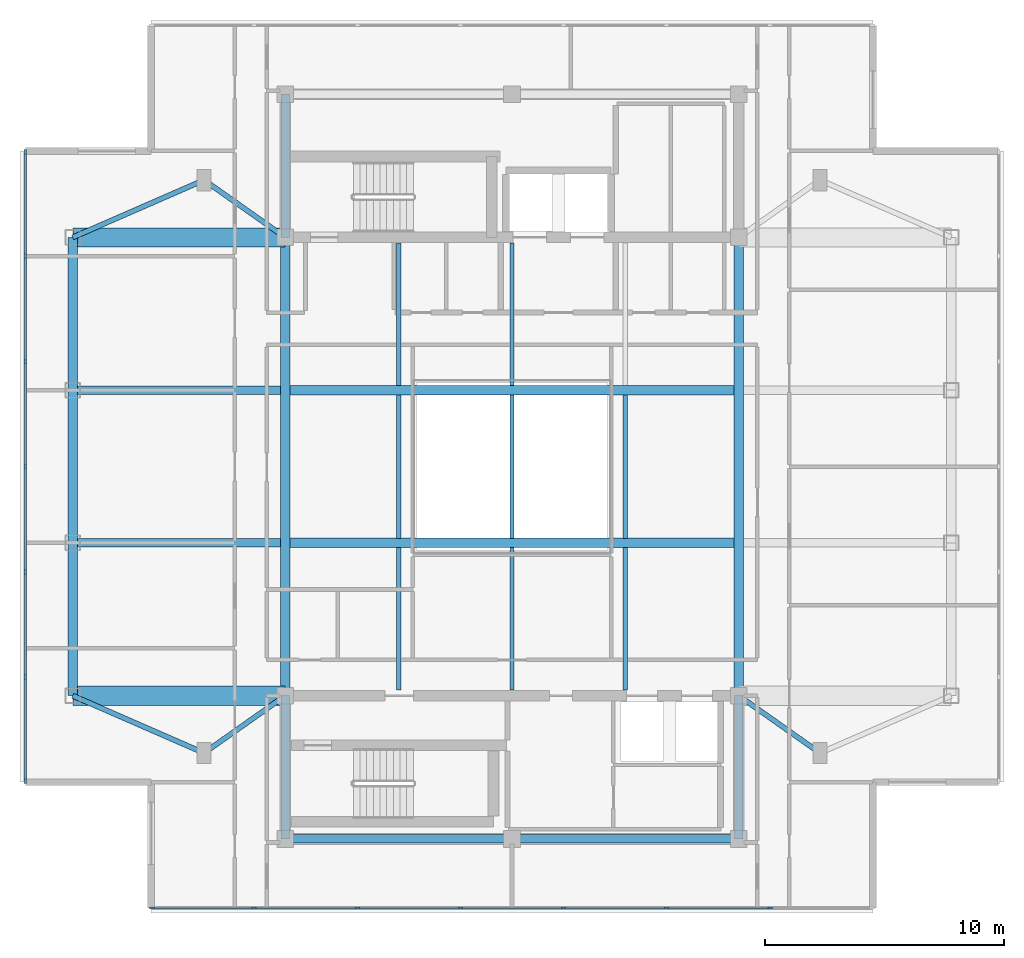
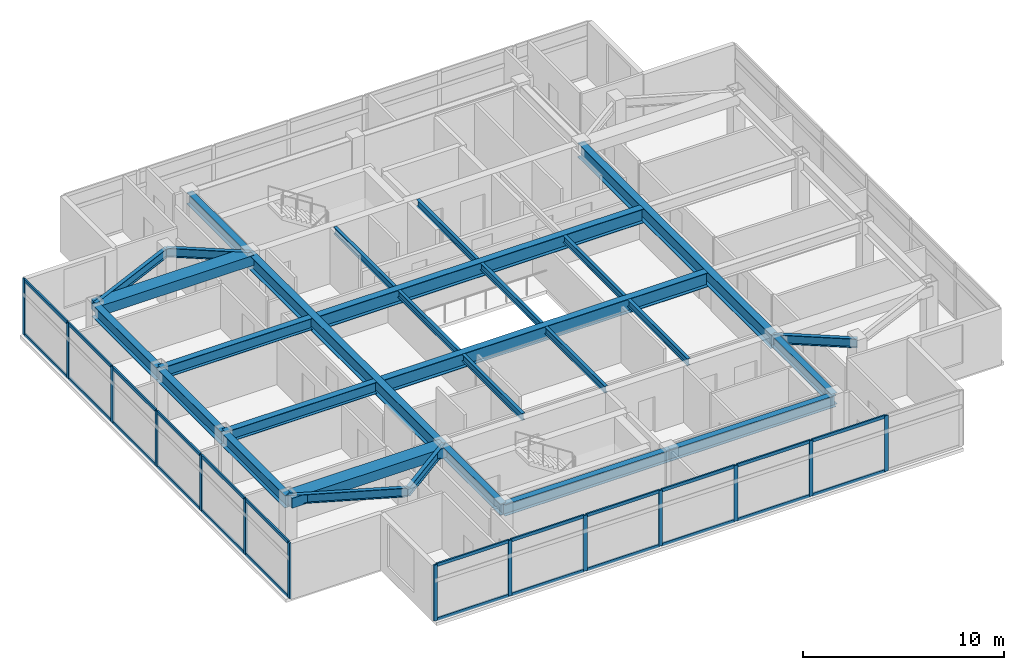
# One storey, part 2 of 12: 38 members, 29 beams, 2 elements without a shape of their own.
"""IFC4 building model written with IfcOpenShell, lengths in metres."""

import ifcopenshell
import ifcopenshell.guid

model = None  # the IFC model being written
_history = None  # IfcOwnerHistory: only IFC2X3 demands one
_inside = {}  # id of a spatial element -> (the spatial element, [elements in it])
_under = {}  # id of a project, library or spatial element -> (it, [spatial elements below it])
_declared = {}  # id of a project -> (the project, [libraries it declares])
_typed = {}  # id of a type object -> (the type object, [elements of that type])
_made_of = {}  # id of a material, layer set ... -> (it, [elements and type objects made of it])


def new_model(schema):
    """Start an empty IFC model of exactly this schema.

    Asked for "IFC4X3", IfcOpenShell would pick the latest addendum, in which some entities
    have other attributes; the version numbers below select the first issue.
    IFC2X3 requires an IfcOwnerHistory on every rooted entity: one is made here for all.
    """
    global model, _history
    if schema == "IFC4X3":
        model = ifcopenshell.file(schema_version=(4, 3, 0, 0))
    else:
        model = ifcopenshell.file(schema=schema)
    _inside.clear()
    _under.clear()
    _declared.clear()
    _typed.clear()
    _made_of.clear()
    _history = None
    if model.schema == "IFC2X3":
        org = make("IfcOrganization", Name="unknown")
        user = make(
            "IfcPersonAndOrganization",
            ThePerson=make("IfcPerson", FamilyName="unknown"),
            TheOrganization=org,
        )
        app = make(
            "IfcApplication",
            ApplicationDeveloper=org,
            Version="unknown",
            ApplicationFullName="unknown",
            ApplicationIdentifier="unknown",
        )
        _history = make(
            "IfcOwnerHistory",
            OwningUser=user,
            OwningApplication=app,
            ChangeAction="ADDED",
            CreationDate=0,
        )
    return model


def make(cls, **values):
    """One entity of the class cls with the attributes given. An attribute that is None is left unset."""
    return model.create_entity(
        cls, **{name: value for name, value in values.items() if value is not None}
    )


def rooted(cls, **values):
    """An entity with a GlobalId (a new one), such as an element, a storey or a relation."""
    return make(cls, GlobalId=ifcopenshell.guid.new(), OwnerHistory=_history, **values)


def si_unit(unit_type, name, prefix=None):
    """IfcSIUnit, for example si_unit("LENGTHUNIT", "METRE", prefix="MILLI")."""
    return make("IfcSIUnit", UnitType=unit_type, Prefix=prefix, Name=name)


def assignment(units):
    """IfcUnitAssignment: the units of a project."""
    return None if units is None else make("IfcUnitAssignment", Units=units)


def point(xyz):
    """IfcCartesianPoint."""
    return None if xyz is None else make("IfcCartesianPoint", Coordinates=xyz)


def direction(xyz):
    """IfcDirection."""
    return None if xyz is None else make("IfcDirection", DirectionRatios=xyz)


def frame(location, z_axis=None, x_axis=None):
    """IfcAxis2Placement3D, a coordinate frame: its origin and axes. An axis left out is left unset."""
    return make(
        "IfcAxis2Placement3D",
        Location=point(location),
        Axis=direction(z_axis),
        RefDirection=direction(x_axis),
    )


def frame_2d(location, x_axis=None):
    """IfcAxis2Placement2D, a coordinate frame in the plane: its origin and x axis."""
    return make(
        "IfcAxis2Placement2D", Location=point(location), RefDirection=direction(x_axis)
    )


def origin():
    """The frame at (0, 0, 0) with its axes left unset."""
    return frame((0.0, 0.0, 0.0))


def origin_2d():
    """The frame at (0, 0) in the plane with its x axis left unset."""
    return frame_2d((0.0, 0.0))


def place(relative_to, where):
    """IfcLocalPlacement: puts the frame where relative to a parent placement (None: the world)."""
    return make(
        "IfcLocalPlacement", PlacementRelTo=relative_to, RelativePlacement=where
    )


def context(
    kind, dimensions, precision=None, world=None, true_north=None, identifier=None
):
    """IfcGeometricRepresentationContext, for example the 3D "Model" context."""
    return make(
        "IfcGeometricRepresentationContext",
        ContextIdentifier=identifier,
        ContextType=kind,
        CoordinateSpaceDimension=dimensions,
        Precision=precision,
        WorldCoordinateSystem=world,
        TrueNorth=true_north,
    )


def subcontext(parent, identifier, kind, view, scale=None):
    """IfcGeometricRepresentationSubContext, for example "Body" below "Model"."""
    return make(
        "IfcGeometricRepresentationSubContext",
        ContextIdentifier=identifier,
        ContextType=kind,
        ParentContext=parent,
        TargetScale=scale,
        TargetView=view,
    )


def project(units=None, contexts=None):
    """IfcProject with its units and contexts."""
    return rooted(
        "IfcProject",
        Name="project",
        RepresentationContexts=contexts,
        UnitsInContext=assignment(units),
    )


def spatial(cls, under=None, at=None, **own):
    """A site, building, storey or space (cls), placed at a placement, below another one or the project."""
    s = rooted(cls, ObjectPlacement=at, **own)
    if under is not None:
        _under.setdefault(under.id(), (under, []))[1].append(s)
    return s


def profile(cls, at=None, kind="AREA", **sizes):
    """A parametric profile (cls). Its sizes go by their IFC names, for example OverallWidth=200.0."""
    return make(cls, ProfileType=kind, Position=at, **sizes)


def rectangle(**sizes):
    """IfcRectangleProfileDef."""
    return profile("IfcRectangleProfileDef", **sizes)


def i_section(**sizes):
    """IfcIShapeProfileDef."""
    return profile("IfcIShapeProfileDef", **sizes)


def extrude(swept, where, along, depth):
    """IfcExtrudedAreaSolid: the profile swept, set in the frame where, extruded along a direction by depth."""
    return make(
        "IfcExtrudedAreaSolid",
        SweptArea=swept,
        Position=where,
        ExtrudedDirection=direction(along),
        Depth=depth,
    )


def shape(context_of_items, identifier, shape_type, items):
    """IfcShapeRepresentation: the items that make up one representation, for example the "Body"."""
    return make(
        "IfcShapeRepresentation",
        ContextOfItems=context_of_items,
        RepresentationIdentifier=identifier,
        RepresentationType=shape_type,
        Items=items,
    )


def material(Name=None, Category=None):
    """IfcMaterial."""
    return make("IfcMaterial", Name=Name, Category=Category)


def material_profile(
    of_material, cross_section, Name=None, Category=None, Priority=None
):
    """IfcMaterialProfile: a cross section and its material."""
    return make(
        "IfcMaterialProfile",
        Name=Name,
        Material=of_material,
        Profile=cross_section,
        Priority=Priority,
        Category=Category,
    )


def profile_set(profiles, Name=None, composite=None):
    """IfcMaterialProfileSet."""
    return make(
        "IfcMaterialProfileSet",
        Name=Name,
        MaterialProfiles=profiles,
        CompositeProfile=composite,
    )


def made_of(thing, what):
    """Note that an element or type object is made of a material, layer set ...; save() writes the relation."""
    if what is not None:
        _made_of.setdefault(what.id(), (what, []))[1].append(thing)
    return thing


def type_object(cls, material=None, **own):
    """A type object (cls), such as IfcWallType, which elements share."""
    return made_of(rooted(cls, **own), material)


def element(
    cls,
    number,
    at=None,
    inside=None,
    cuts=None,
    type_object=None,
    material=None,
    context=None,
    identifier="Body",
    shape_type=None,
    held_by="IfcProductDefinitionShape",
    body=None,
    shapes=None,
    **own,
):
    """One element of the class cls, such as IfcWall. Its Tag is "e" and its number.

    at: its placement. inside: the storey or other place that contains it. cuts: it is an
    opening in that element (IfcRelVoidsElement). A single representation is given by context,
    identifier, shape_type and body (its items); several are given by shapes. held_by: the class
    of the entity that holds the representations. save() writes the other relations.
    """
    e = rooted(cls, Tag="e%d" % number, ObjectPlacement=at, **own)
    if body is not None:
        shapes = [shape(context, identifier, shape_type, body)]
    if shapes is not None:
        e.Representation = make(held_by, Representations=shapes)
    if inside is not None:
        _inside.setdefault(inside.id(), (inside, []))[1].append(e)
    if cuts is not None:
        rooted(
            "IfcRelVoidsElement", RelatingBuildingElement=cuts, RelatedOpeningElement=e
        )
    if type_object is not None:
        _typed.setdefault(type_object.id(), (type_object, []))[1].append(e)
    return made_of(e, material)


def aggregate(whole, parts):
    """IfcRelAggregates: a whole, such as a stair, and the parts it consists of."""
    return rooted("IfcRelAggregates", RelatingObject=whole, RelatedObjects=parts)


def save(model, path):
    """Write the relations noted so far, then the file.

    IfcRelAggregates (storeys below a building ...), IfcRelContainedInSpatialStructure (elements
    in a storey), IfcRelDefinesByType, IfcRelAssociatesMaterial and IfcRelDeclares: one each for
    every whole, place, type object, material and project.
    """
    for whole, parts in _under.values():
        aggregate(whole, parts)
    for where, things in _inside.values():
        rooted(
            "IfcRelContainedInSpatialStructure",
            RelatedElements=things,
            RelatingStructure=where,
        )
    for kind, things in _typed.values():
        rooted("IfcRelDefinesByType", RelatedObjects=things, RelatingType=kind)
    for what, things in _made_of.values():
        rooted("IfcRelAssociatesMaterial", RelatedObjects=things, RelatingMaterial=what)
    for by, libraries in _declared.values():
        rooted("IfcRelDeclares", RelatingContext=by, RelatedDefinitions=libraries)
    model.write(path)


model = new_model("IFC4")

# Units and contexts
model_context = context("Model", 3, precision=1e-05, world=origin(), true_north=direction((0.0, 1.0)))
body_context = subcontext(model_context, "Body", "Model", "MODEL_VIEW")
ifc_project = project(units=[si_unit("LENGTHUNIT", "METRE"), si_unit("AREAUNIT", "SQUARE_METRE"), si_unit("VOLUMEUNIT", "CUBIC_METRE"), si_unit("PLANEANGLEUNIT", "RADIAN"), si_unit("MASSUNIT", "GRAM", prefix="KILO")], contexts=[model_context])

# Site, building, storey
site_placement = place(None, origin())
site = spatial("IfcSite", under=ifc_project, at=site_placement, CompositionType="ELEMENT")
building_placement = place(site_placement, origin())
building = spatial("IfcBuilding", under=site, at=building_placement, Name="Mirazonda Arch Towers", CompositionType="ELEMENT")
storey_placement = place(building_placement, frame((0.0, 0.0, 256.300048828125)))
storey = spatial("IfcBuildingStorey", under=building, at=storey_placement, Name="L73", CompositionType="ELEMENT", Elevation=256.300048828125)

# Beams
ifc_material_1 = material(Name="Steel ASTM A992 Grade 50", Category="steel")
ifc_material_profile_1 = material_profile(ifc_material_1, i_section(OverallWidth=0.381103515625, OverallDepth=0.77294921875, WebThickness=0.0166015625, FlangeThickness=0.027099609375, at=origin_2d()), Name="W30X173")
ifc_profile_set_1 = profile_set([ifc_material_profile_1], Name="Steel ASTM A992 Grade 50")
beam_type_1 = type_object("IfcBeamType", Name="BM-EXT-W30X173", PredefinedType="USERDEFINED", material=ifc_profile_set_1)
beam_1_placement = place(storey_placement, frame((2.10009765625, 18.39990234375, 3.013427734375), z_axis=(0.0, 1.0, 0.0), x_axis=(-1.0, 0.0, 0.0)))
element("IfcBeam", 1, at=beam_1_placement, inside=storey, type_object=beam_type_1, Name="L73 Floor Beam BM-T1-L73-NS-W-18", ObjectType="GIRDER", PredefinedType="USERDEFINED", context=body_context, shape_type="SweptSolid", body=[
    extrude(i_section(OverallWidth=0.381103515625, OverallDepth=0.77294921875, WebThickness=0.0166015625, FlangeThickness=0.027099609375, at=origin_2d()), origin(), (0.0, 0.0, 1.0), 6.400146484375),
])
beam_2_placement = place(storey_placement, frame((2.10009765625, 24.800048828125, 3.013427734375), z_axis=(0.0, 1.0, 0.0), x_axis=(-1.0, 0.0, 0.0)))
element("IfcBeam", 2, at=beam_2_placement, inside=storey, type_object=beam_type_1, Name="L73 Floor Beam BM-T1-L73-NS-W-24", ObjectType="GIRDER", PredefinedType="USERDEFINED", context=body_context, shape_type="SweptSolid", body=[
    extrude(i_section(OverallWidth=0.381103515625, OverallDepth=0.77294921875, WebThickness=0.0166015625, FlangeThickness=0.027099609375, at=origin_2d()), origin(), (0.0, 0.0, 1.0), 6.39990234375),
])
beam_3_placement = place(storey_placement, frame((2.10009765625, 31.199951171875, 3.013427734375), z_axis=(0.0, 1.0, 0.0), x_axis=(-1.0, 0.0, 0.0)))
element("IfcBeam", 3, at=beam_3_placement, inside=storey, type_object=beam_type_1, Name="L73 Floor Beam BM-T1-L73-NS-W-31", ObjectType="GIRDER", PredefinedType="USERDEFINED", context=body_context, shape_type="SweptSolid", body=[
    extrude(i_section(OverallWidth=0.381103515625, OverallDepth=0.77294921875, WebThickness=0.0166015625, FlangeThickness=0.027099609375, at=origin_2d()), origin(), (0.0, 0.0, 1.0), 6.400146484375),
])
ifc_material_profile_2 = material_profile(ifc_material_1, i_section(OverallWidth=0.180908203125, OverallDepth=0.4169921875, WebThickness=0.010986328125, FlangeThickness=0.018310546875, at=origin_2d()), Name="W16X57")
ifc_profile_set_2 = profile_set([ifc_material_profile_2], Name="Steel ASTM A992 Grade 50")
beam_type_2 = type_object("IfcBeamType", Name="BM-INT-W16X57", PredefinedType="JOIST", material=ifc_profile_set_2)
for number, where, z_axis, x_axis, name in (
    (4, (15.75, 18.639892578125, 3.19140625), (0.0, 1.0, 0.0), (-1.0, 0.0, 0.0), "L73 Floor Beam BM-T1-L73-J-157-18"),
    (5, (15.75, 31.39599609375, 3.19140625), (0.0, 1.0, 0.0), (-1.0, 0.0, 0.0), "L73 Floor Beam BM-T1-L73-J-157-31"),
):
    element("IfcBeam", number, at=place(storey_placement, frame(where, z_axis=z_axis, x_axis=x_axis)), inside=storey, type_object=beam_type_2, Name=name, PredefinedType="JOIST", context=body_context, shape_type="SweptSolid", body=[
        extrude(i_section(OverallWidth=0.180908203125, OverallDepth=0.4169921875, WebThickness=0.010986328125, FlangeThickness=0.018310546875, at=origin_2d()), origin(), (0.0, 0.0, 1.0), 5.964111328125),
    ])
beam_4_placement = place(storey_placement, frame((15.75, 24.99609375, 3.19140625), z_axis=(0.0, 1.0, 0.0), x_axis=(-1.0, 0.0, 0.0)))
element("IfcBeam", 6, at=beam_4_placement, inside=storey, type_object=beam_type_2, Name="L73 Floor Beam BM-T1-L73-J-157-24", PredefinedType="JOIST", context=body_context, shape_type="SweptSolid", body=[
    extrude(i_section(OverallWidth=0.180908203125, OverallDepth=0.4169921875, WebThickness=0.010986328125, FlangeThickness=0.018310546875, at=origin_2d()), origin(), (0.0, 0.0, 1.0), 6.0078125),
])
for number, where, z_axis, x_axis, name in (
    (7, (20.5, 18.639892578125, 3.19140625), (0.0, 1.0, 0.0), (-1.0, 0.0, 0.0), "L73 Floor Beam BM-T1-L73-J-205-18"),
    (8, (20.5, 31.39599609375, 3.19140625), (0.0, 1.0, 0.0), (-1.0, 0.0, 0.0), "L73 Floor Beam BM-T1-L73-J-205-31"),
):
    element("IfcBeam", number, at=place(storey_placement, frame(where, z_axis=z_axis, x_axis=x_axis)), inside=storey, type_object=beam_type_2, Name=name, PredefinedType="JOIST", context=body_context, shape_type="SweptSolid", body=[
        extrude(i_section(OverallWidth=0.180908203125, OverallDepth=0.4169921875, WebThickness=0.010986328125, FlangeThickness=0.018310546875, at=origin_2d()), origin(), (0.0, 0.0, 1.0), 5.964111328125),
    ])
beam_5_placement = place(storey_placement, frame((20.5, 24.99609375, 3.19140625), z_axis=(0.0, 1.0, 0.0), x_axis=(-1.0, 0.0, 0.0)))
element("IfcBeam", 9, at=beam_5_placement, inside=storey, type_object=beam_type_2, Name="L73 Floor Beam BM-T1-L73-J-205-24", PredefinedType="JOIST", context=body_context, shape_type="SweptSolid", body=[
    extrude(i_section(OverallWidth=0.180908203125, OverallDepth=0.4169921875, WebThickness=0.010986328125, FlangeThickness=0.018310546875, at=origin_2d()), origin(), (0.0, 0.0, 1.0), 6.0078125),
])
beam_6_placement = place(storey_placement, frame((25.25, 18.639892578125, 3.19140625), z_axis=(0.0, 1.0, 0.0), x_axis=(-1.0, 0.0, 0.0)))
element("IfcBeam", 10, at=beam_6_placement, inside=storey, type_object=beam_type_2, Name="L73 Floor Beam BM-T1-L73-J-252-18", PredefinedType="JOIST", context=body_context, shape_type="SweptSolid", body=[
    extrude(i_section(OverallWidth=0.180908203125, OverallDepth=0.4169921875, WebThickness=0.010986328125, FlangeThickness=0.018310546875, at=origin_2d()), origin(), (0.0, 0.0, 1.0), 5.964111328125),
])
beam_7_placement = place(storey_placement, frame((25.25, 24.99609375, 3.19140625), z_axis=(0.0, 1.0, 0.0), x_axis=(-1.0, 0.0, 0.0)))
element("IfcBeam", 11, at=beam_7_placement, inside=storey, type_object=beam_type_2, Name="L73 Floor Beam BM-T1-L73-J-252-24", PredefinedType="JOIST", context=body_context, shape_type="SweptSolid", body=[
    extrude(i_section(OverallWidth=0.180908203125, OverallDepth=0.4169921875, WebThickness=0.010986328125, FlangeThickness=0.018310546875, at=origin_2d()), origin(), (0.0, 0.0, 1.0), 6.0078125),
])
ifc_material_profile_3 = material_profile(ifc_material_1, i_section(OverallWidth=0.214111328125, OverallDepth=0.549072265625, WebThickness=0.0146484375, FlangeThickness=0.023681640625, at=origin_2d()), Name="W21X93")
ifc_profile_set_3 = profile_set([ifc_material_profile_3], Name="Steel ASTM A992 Grade 50")
beam_type_3 = type_object("IfcBeamType", Name="BM-INT-W21X93", PredefinedType="BEAM", material=ifc_profile_set_3)
beam_8_placement = place(storey_placement, frame((7.60009765625, 16.0, 3.12548828125), z_axis=(0.816971114901, 0.576678591087, 0.0), x_axis=(-0.576678591087, 0.816971114901, 0.0)))
element("IfcBeam", 12, at=beam_8_placement, inside=storey, type_object=beam_type_3, Name="L73 Floor Beam BM-T1-L73-PL-SW1", PredefinedType="BEAM", context=body_context, shape_type="SweptSolid", body=[
    extrude(i_section(OverallWidth=0.214111328125, OverallDepth=0.549072265625, WebThickness=0.0146484375, FlangeThickness=0.023681640625, at=origin_2d()), origin(), (0.0, 0.0, 1.0), 4.16162109375),
])
beam_9_placement = place(storey_placement, frame((7.60009765625, 16.0, 3.12548828125), z_axis=(-0.916545343703, 0.399930785183, 0.0), x_axis=(-0.399930785183, -0.916545343703, 0.0)))
element("IfcBeam", 13, at=beam_9_placement, inside=storey, type_object=beam_type_3, Name="L73 Floor Beam BM-T1-L73-PL-SW2", PredefinedType="BEAM", context=body_context, shape_type="SweptSolid", body=[
    extrude(i_section(OverallWidth=0.214111328125, OverallDepth=0.549072265625, WebThickness=0.0146484375, FlangeThickness=0.023681640625, at=origin_2d()), origin(), (0.0, 0.0, 1.0), 6.000732421875),
])
for number, where, z_axis, x_axis, name in (
    (14, (33.39990234375, 16.0, 3.12548828125), (-0.816971114901, 0.576678591087, 0.0), (-0.576678591087, -0.816971114901, 0.0), "L73 Floor Beam BM-T1-L73-PL-SE1"),
    (15, (7.60009765625, 40.0, 3.12548828125), (0.816971114901, -0.576678591087, 0.0), (0.576678591087, 0.816971114901, 0.0), "L73 Floor Beam BM-T1-L73-PL-NW1"),
):
    element("IfcBeam", number, at=place(storey_placement, frame(where, z_axis=z_axis, x_axis=x_axis)), inside=storey, type_object=beam_type_3, Name=name, PredefinedType="BEAM", context=body_context, shape_type="SweptSolid", body=[
        extrude(i_section(OverallWidth=0.214111328125, OverallDepth=0.549072265625, WebThickness=0.0146484375, FlangeThickness=0.023681640625, at=origin_2d()), origin(), (0.0, 0.0, 1.0), 4.16162109375),
    ])
beam_10_placement = place(storey_placement, frame((7.60009765625, 40.0, 3.12548828125), z_axis=(-0.916545343703, -0.399930785183, 0.0), x_axis=(0.399930785183, -0.916545343703, 0.0)))
element("IfcBeam", 16, at=beam_10_placement, inside=storey, type_object=beam_type_3, Name="L73 Floor Beam BM-T1-L73-PL-NW2", PredefinedType="BEAM", context=body_context, shape_type="SweptSolid", body=[
    extrude(i_section(OverallWidth=0.214111328125, OverallDepth=0.549072265625, WebThickness=0.0146484375, FlangeThickness=0.023681640625, at=origin_2d()), origin(), (0.0, 0.0, 1.0), 6.000732421875),
])
ifc_material_profile_4 = material_profile(ifc_material_1, i_section(OverallWidth=0.35498046875, OverallDepth=0.696044921875, WebThickness=0.015380859375, FlangeThickness=0.02490234375, at=origin_2d()), Name="W27X146")
ifc_profile_set_4 = profile_set([ifc_material_profile_4], Name="Steel ASTM A992 Grade 50")
beam_type_4 = type_object("IfcBeamType", Name="BM-INT-W27X146", PredefinedType="BEAM", material=ifc_profile_set_4)
for number, where, z_axis, x_axis, name in (
    (17, (2.10009765625, 24.800048828125, 3.052001953125), (1.0, 0.0, 0.0), (0.0, 1.0, 0.0), "L73 Floor Beam BM-T1-L73-GW2"),
    (18, (2.10009765625, 31.199951171875, 3.052001953125), (1.0, 0.0, 0.0), (0.0, 1.0, 0.0), "L73 Floor Beam BM-T1-L73-GW3"),
):
    element("IfcBeam", number, at=place(storey_placement, frame(where, z_axis=z_axis, x_axis=x_axis)), inside=storey, type_object=beam_type_4, Name=name, PredefinedType="BEAM", context=body_context, shape_type="SweptSolid", body=[
        extrude(i_section(OverallWidth=0.35498046875, OverallDepth=0.696044921875, WebThickness=0.015380859375, FlangeThickness=0.02490234375, at=origin_2d()), origin(), (0.0, 0.0, 1.0), 8.699951171875),
    ])
for number, where, z_axis, x_axis, name in (
    (19, (11.0, 12.39990234375, 3.052001953125), (1.0, 0.0, 0.0), (0.0, 1.0, 0.0), "L73 Floor Beam BM-T1-L73-CS1"),
    (20, (20.5, 12.39990234375, 3.052001953125), (1.0, 0.0, 0.0), (0.0, 1.0, 0.0), "L73 Floor Beam BM-T1-L73-CS2"),
):
    element("IfcBeam", number, at=place(storey_placement, frame(where, z_axis=z_axis, x_axis=x_axis)), inside=storey, type_object=beam_type_4, Name=name, PredefinedType="BEAM", context=body_context, shape_type="SweptSolid", body=[
        extrude(i_section(OverallWidth=0.35498046875, OverallDepth=0.696044921875, WebThickness=0.015380859375, FlangeThickness=0.02490234375, at=origin_2d()), origin(), (0.0, 0.0, 1.0), 9.5),
    ])
for number, where, z_axis, x_axis, name in (
    (21, (11.0, 12.39990234375, 3.052001953125), (0.0, 1.0, 0.0), (-1.0, 0.0, 0.0), "L73 Floor Beam BM-T1-L73-CSW"),
    (22, (30.0, 12.39990234375, 3.052001953125), (0.0, 1.0, 0.0), (-1.0, 0.0, 0.0), "L73 Floor Beam BM-T1-L73-CSE"),
    (23, (11.0, 37.60009765625, 3.052001953125), (0.0, 1.0, 0.0), (-1.0, 0.0, 0.0), "L73 Floor Beam BM-T1-L73-CNW"),
):
    element("IfcBeam", number, at=place(storey_placement, frame(where, z_axis=z_axis, x_axis=x_axis)), inside=storey, type_object=beam_type_4, Name=name, PredefinedType="BEAM", context=body_context, shape_type="SweptSolid", body=[
        extrude(i_section(OverallWidth=0.35498046875, OverallDepth=0.696044921875, WebThickness=0.015380859375, FlangeThickness=0.02490234375, at=origin_2d()), origin(), (0.0, 0.0, 1.0), 6.0),
    ])
ifc_material_profile_5 = material_profile(ifc_material_1, i_section(OverallWidth=0.39990234375, OverallDepth=0.85595703125, WebThickness=0.018310546875, FlangeThickness=0.029296875, at=origin_2d()), Name="W33X201")
ifc_profile_set_5 = profile_set([ifc_material_profile_5], Name="Steel ASTM A992 Grade 50")
beam_type_5 = type_object("IfcBeamType", Name="BM-INT-W33X201", PredefinedType="USERDEFINED", material=ifc_profile_set_5)
for number, where, z_axis, x_axis, name in (
    (24, (11.199951171875, 24.800048828125, 2.971923828125), (1.0, 0.0, 0.0), (0.0, 1.0, 0.0), "L73 Floor Beam BM-T1-L73-GC2"),
    (25, (11.199951171875, 31.199951171875, 2.971923828125), (1.0, 0.0, 0.0), (0.0, 1.0, 0.0), "L73 Floor Beam BM-T1-L73-GC3"),
):
    element("IfcBeam", number, at=place(storey_placement, frame(where, z_axis=z_axis, x_axis=x_axis)), inside=storey, type_object=beam_type_5, Name=name, ObjectType="GIRDER", PredefinedType="USERDEFINED", context=body_context, shape_type="SweptSolid", body=[
        extrude(i_section(OverallWidth=0.39990234375, OverallDepth=0.85595703125, WebThickness=0.018310546875, FlangeThickness=0.029296875, at=origin_2d()), origin(), (0.0, 0.0, 1.0), 18.60009765625),
    ])
for number, where, z_axis, x_axis, name in (
    (26, (11.0, 18.39990234375, 2.971923828125), (0.0, 1.0, 0.0), (-1.0, 0.0, 0.0), "L73 Floor Beam BM-T1-L73-NS-CW-FULL"),
    (27, (30.0, 18.39990234375, 2.971923828125), (0.0, 1.0, 0.0), (-1.0, 0.0, 0.0), "L73 Floor Beam BM-T1-L73-NS-CE-FULL"),
):
    element("IfcBeam", number, at=place(storey_placement, frame(where, z_axis=z_axis, x_axis=x_axis)), inside=storey, type_object=beam_type_5, Name=name, ObjectType="GIRDER", PredefinedType="USERDEFINED", context=body_context, shape_type="SweptSolid", body=[
        extrude(i_section(OverallWidth=0.39990234375, OverallDepth=0.85595703125, WebThickness=0.018310546875, FlangeThickness=0.029296875, at=origin_2d()), origin(), (0.0, 0.0, 1.0), 19.2001953125),
    ])
ifc_material_2 = material(Name="Concrete C60/75", Category="concrete")
ifc_material_profile_6 = material_profile(ifc_material_2, rectangle(XDim=0.800048828125, YDim=0.60009765625, at=origin_2d()), Name="RCCB800x600")
ifc_profile_set_6 = profile_set([ifc_material_profile_6], Name="Concrete C60/75")
beam_type_6 = type_object("IfcBeamType", Name="CB-INT-RCCB800x600", PredefinedType="SPANDREL", material=ifc_profile_set_6)
for number, where, z_axis, x_axis, name in (
    (28, (2.10009765625, 37.60009765625, 3.099853515625), (1.0, 0.0, 0.0), (0.0, 1.0, 0.0), "L73 Floor Beam CBC-T1-L73-NW"),
    (29, (2.10009765625, 18.39990234375, 3.099853515625), (1.0, 0.0, 0.0), (0.0, 1.0, 0.0), "L73 Floor Beam CBC-T1-L73-SW"),
):
    element("IfcBeam", number, at=place(storey_placement, frame(where, z_axis=z_axis, x_axis=x_axis)), inside=storey, type_object=beam_type_6, Name=name, PredefinedType="SPANDREL", context=body_context, shape_type="SweptSolid", body=[
        extrude(rectangle(XDim=0.800048828125, YDim=0.60009765625, at=origin_2d()), origin(), (0.0, 0.0, 1.0), 8.89990234375),
    ])

# Curtain wall, members
ifc_material_3 = material(Name="Anodised Aluminium and Low-E Glass", Category="aluminium")
curtain_wall_type = type_object("IfcCurtainWallType", Name="CW-OBS-LANTERN", PredefinedType="NOTDEFINED", material=ifc_material_3)
curtain_wall_1_placement = place(storey_placement, origin())
curtain_wall_1 = element("IfcCurtainWall", 30, at=curtain_wall_1_placement, inside=storey, type_object=curtain_wall_type, Name="L73 T1 S Facade CW-L73-T1-S", PredefinedType="NOTDEFINED")
ifc_material_4 = material(Name="Anodised Aluminium Alloy", Category="aluminium")
ifc_material_profile_7 = material_profile(ifc_material_4, rectangle(XDim=0.090087890625, YDim=0.2099609375, at=origin_2d()), Name="ALU-MULL-90x210")
ifc_profile_set_7 = profile_set([ifc_material_profile_7], Name="Anodised Aluminium Alloy")
member_type_1 = type_object("IfcMemberType", Name="MULL-CW-OBS-LANTERN", PredefinedType="MULLION", material=ifc_profile_set_7)
member_1_placement = place(storey_placement, frame((31.303466796875, 9.513916015625, 0.0), z_axis=(0.0, 0.0, 1.0), x_axis=(0.0, -1.0, 0.0)))
member_1 = element("IfcMember", 31, at=member_1_placement, type_object=member_type_1, Name="CW-110 mullion 2", PredefinedType="MULLION", context=body_context, shape_type="SweptSolid", body=[
    extrude(rectangle(XDim=0.090087890625, YDim=0.2099609375, at=origin_2d()), origin(), (0.0, 0.0, 1.0), 3.3798828125),
])
member_2_placement = place(storey_placement, frame((26.982177734375, 9.513916015625, 0.0), z_axis=(0.0, 0.0, 1.0), x_axis=(0.0, -1.0, 0.0)))
member_2 = element("IfcMember", 32, at=member_2_placement, type_object=member_type_1, Name="CW-110 mullion 3", PredefinedType="MULLION", context=body_context, shape_type="SweptSolid", body=[
    extrude(rectangle(XDim=0.090087890625, YDim=0.2099609375, at=origin_2d()), origin(), (0.0, 0.0, 1.0), 3.3798828125),
])
member_3_placement = place(storey_placement, frame((22.66064453125, 9.513916015625, 0.0), z_axis=(0.0, 0.0, 1.0), x_axis=(0.0, -1.0, 0.0)))
member_3 = element("IfcMember", 33, at=member_3_placement, type_object=member_type_1, Name="CW-110 mullion 4", PredefinedType="MULLION", context=body_context, shape_type="SweptSolid", body=[
    extrude(rectangle(XDim=0.090087890625, YDim=0.2099609375, at=origin_2d()), origin(), (0.0, 0.0, 1.0), 3.3798828125),
])
member_4_placement = place(storey_placement, frame((18.33935546875, 9.513916015625, 0.0), z_axis=(0.0, 0.0, 1.0), x_axis=(0.0, -1.0, 0.0)))
member_4 = element("IfcMember", 34, at=member_4_placement, type_object=member_type_1, Name="CW-110 mullion 5", PredefinedType="MULLION", context=body_context, shape_type="SweptSolid", body=[
    extrude(rectangle(XDim=0.090087890625, YDim=0.2099609375, at=origin_2d()), origin(), (0.0, 0.0, 1.0), 3.3798828125),
])
member_5_placement = place(storey_placement, frame((14.017822265625, 9.513916015625, 0.0), z_axis=(0.0, 0.0, 1.0), x_axis=(0.0, -1.0, 0.0)))
member_5 = element("IfcMember", 35, at=member_5_placement, type_object=member_type_1, Name="CW-110 mullion 6", PredefinedType="MULLION", context=body_context, shape_type="SweptSolid", body=[
    extrude(rectangle(XDim=0.090087890625, YDim=0.2099609375, at=origin_2d()), origin(), (0.0, 0.0, 1.0), 3.3798828125),
])
member_6_placement = place(storey_placement, frame((9.696533203125, 9.513916015625, 0.0), z_axis=(0.0, 0.0, 1.0), x_axis=(0.0, -1.0, 0.0)))
member_6 = element("IfcMember", 36, at=member_6_placement, type_object=member_type_1, Name="CW-110 mullion 7", PredefinedType="MULLION", context=body_context, shape_type="SweptSolid", body=[
    extrude(rectangle(XDim=0.090087890625, YDim=0.2099609375, at=origin_2d()), origin(), (0.0, 0.0, 1.0), 3.3798828125),
])
member_7_placement = place(storey_placement, frame((5.419921875, 9.513916015625, 0.0), z_axis=(0.0, 0.0, 1.0), x_axis=(0.0, -1.0, 0.0)))
member_7 = element("IfcMember", 37, at=member_7_placement, type_object=member_type_1, Name="CW-110 mullion 8", PredefinedType="MULLION", context=body_context, shape_type="SweptSolid", body=[
    extrude(rectangle(XDim=0.090087890625, YDim=0.2099609375, at=origin_2d()), origin(), (0.0, 0.0, 1.0), 3.3798828125),
])

curtain_wall_2_placement = place(storey_placement, origin())
curtain_wall_2 = element("IfcCurtainWall", 38, at=curtain_wall_2_placement, inside=storey, type_object=curtain_wall_type, Name="L73 T1 W Facade CW-L73-T1-W", PredefinedType="NOTDEFINED")
member_8_placement = place(storey_placement, frame((0.110107421875, 41.176025390625, 0.0), z_axis=(0.0, 0.0, 1.0), x_axis=(1.0, 0.0, 0.0)))
member_8 = element("IfcMember", 39, at=member_8_placement, type_object=member_type_1, Name="CW-110 mullion 1", PredefinedType="MULLION", context=body_context, shape_type="SweptSolid", body=[
    extrude(rectangle(XDim=0.090087890625, YDim=0.2099609375, at=origin_2d()), origin(), (0.0, 0.0, 1.0), 3.3798828125),
])
member_9_placement = place(storey_placement, frame((0.110107421875, 36.81396484375, 0.0), z_axis=(0.0, 0.0, 1.0), x_axis=(1.0, 0.0, 0.0)))
member_9 = element("IfcMember", 40, at=member_9_placement, type_object=member_type_1, Name="CW-110 mullion 2", PredefinedType="MULLION", context=body_context, shape_type="SweptSolid", body=[
    extrude(rectangle(XDim=0.090087890625, YDim=0.2099609375, at=origin_2d()), origin(), (0.0, 0.0, 1.0), 3.3798828125),
])
member_10_placement = place(storey_placement, frame((0.110107421875, 32.406982421875, 0.0), z_axis=(0.0, 0.0, 1.0), x_axis=(1.0, 0.0, 0.0)))
member_10 = element("IfcMember", 41, at=member_10_placement, type_object=member_type_1, Name="CW-110 mullion 3", PredefinedType="MULLION", context=body_context, shape_type="SweptSolid", body=[
    extrude(rectangle(XDim=0.090087890625, YDim=0.2099609375, at=origin_2d()), origin(), (0.0, 0.0, 1.0), 3.3798828125),
])
member_11_placement = place(storey_placement, frame((0.110107421875, 28.0, 0.0), z_axis=(0.0, 0.0, 1.0), x_axis=(1.0, 0.0, 0.0)))
member_11 = element("IfcMember", 42, at=member_11_placement, type_object=member_type_1, Name="CW-110 mullion 4", PredefinedType="MULLION", context=body_context, shape_type="SweptSolid", body=[
    extrude(rectangle(XDim=0.090087890625, YDim=0.2099609375, at=origin_2d()), origin(), (0.0, 0.0, 1.0), 3.3798828125),
])
member_12_placement = place(storey_placement, frame((0.110107421875, 23.593017578125, 0.0), z_axis=(0.0, 0.0, 1.0), x_axis=(1.0, 0.0, 0.0)))
member_12 = element("IfcMember", 43, at=member_12_placement, type_object=member_type_1, Name="CW-110 mullion 5", PredefinedType="MULLION", context=body_context, shape_type="SweptSolid", body=[
    extrude(rectangle(XDim=0.090087890625, YDim=0.2099609375, at=origin_2d()), origin(), (0.0, 0.0, 1.0), 3.3798828125),
])
member_13_placement = place(storey_placement, frame((0.110107421875, 19.18603515625, 0.0), z_axis=(0.0, 0.0, 1.0), x_axis=(1.0, 0.0, 0.0)))
member_13 = element("IfcMember", 44, at=member_13_placement, type_object=member_type_1, Name="CW-110 mullion 6", PredefinedType="MULLION", context=body_context, shape_type="SweptSolid", body=[
    extrude(rectangle(XDim=0.090087890625, YDim=0.2099609375, at=origin_2d()), origin(), (0.0, 0.0, 1.0), 3.3798828125),
])
member_14_placement = place(storey_placement, frame((0.110107421875, 14.823974609375, 0.0), z_axis=(0.0, 0.0, 1.0), x_axis=(1.0, 0.0, 0.0)))
member_14 = element("IfcMember", 45, at=member_14_placement, type_object=member_type_1, Name="CW-110 mullion 7", PredefinedType="MULLION", context=body_context, shape_type="SweptSolid", body=[
    extrude(rectangle(XDim=0.090087890625, YDim=0.2099609375, at=origin_2d()), origin(), (0.0, 0.0, 1.0), 3.3798828125),
])

# Member
ifc_material_profile_8 = material_profile(ifc_material_4, rectangle(XDim=0.090087890625, YDim=0.18994140625, at=origin_2d()), Name="ALU-TRAN-90x190")
ifc_profile_set_8 = profile_set([ifc_material_profile_8], Name="Anodised Aluminium Alloy")
member_type_2 = type_object("IfcMemberType", Name="TRAN-CW-OBS-LANTERN", PredefinedType="USERDEFINED", material=ifc_profile_set_8)
member_15_placement = place(storey_placement, frame((31.258544921875, 9.513916015625, 0.044921875), z_axis=(-1.0, 0.0, 0.0), x_axis=(0.0, -1.0, 0.0)))
member_15 = element("IfcMember", 46, at=member_15_placement, type_object=member_type_2, Name="CW-110 transom 2.1", ObjectType="TRANSOM", PredefinedType="USERDEFINED", context=body_context, shape_type="SweptSolid", body=[
    extrude(rectangle(XDim=0.090087890625, YDim=0.18994140625, at=origin_2d()), origin(), (0.0, 0.0, 1.0), 4.2314453125),
])

member_16_placement = place(storey_placement, frame((31.258544921875, 9.513916015625, 3.3349609375), z_axis=(-1.0, 0.0, 0.0), x_axis=(0.0, -1.0, 0.0)))
member_16 = element("IfcMember", 47, at=member_16_placement, type_object=member_type_2, Name="CW-110 transom 2.2", ObjectType="TRANSOM", PredefinedType="USERDEFINED", context=body_context, shape_type="SweptSolid", body=[
    extrude(rectangle(XDim=0.090087890625, YDim=0.18994140625, at=origin_2d()), origin(), (0.0, 0.0, 1.0), 4.2314453125),
])

member_17_placement = place(storey_placement, frame((26.937255859375, 9.513916015625, 0.044921875), z_axis=(-1.0, 0.0, 0.0), x_axis=(0.0, -1.0, 0.0)))
member_17 = element("IfcMember", 48, at=member_17_placement, type_object=member_type_2, Name="CW-110 transom 3.1", ObjectType="TRANSOM", PredefinedType="USERDEFINED", context=body_context, shape_type="SweptSolid", body=[
    extrude(rectangle(XDim=0.090087890625, YDim=0.18994140625, at=origin_2d()), origin(), (0.0, 0.0, 1.0), 4.2314453125),
])

member_18_placement = place(storey_placement, frame((26.937255859375, 9.513916015625, 3.3349609375), z_axis=(-1.0, 0.0, 0.0), x_axis=(0.0, -1.0, 0.0)))
member_18 = element("IfcMember", 49, at=member_18_placement, type_object=member_type_2, Name="CW-110 transom 3.2", ObjectType="TRANSOM", PredefinedType="USERDEFINED", context=body_context, shape_type="SweptSolid", body=[
    extrude(rectangle(XDim=0.090087890625, YDim=0.18994140625, at=origin_2d()), origin(), (0.0, 0.0, 1.0), 4.2314453125),
])

member_19_placement = place(storey_placement, frame((22.61572265625, 9.513916015625, 0.044921875), z_axis=(-1.0, 0.0, 0.0), x_axis=(0.0, -1.0, 0.0)))
member_19 = element("IfcMember", 50, at=member_19_placement, type_object=member_type_2, Name="CW-110 transom 4.1", ObjectType="TRANSOM", PredefinedType="USERDEFINED", context=body_context, shape_type="SweptSolid", body=[
    extrude(rectangle(XDim=0.090087890625, YDim=0.18994140625, at=origin_2d()), origin(), (0.0, 0.0, 1.0), 4.2314453125),
])

member_20_placement = place(storey_placement, frame((22.61572265625, 9.513916015625, 3.3349609375), z_axis=(-1.0, 0.0, 0.0), x_axis=(0.0, -1.0, 0.0)))
member_20 = element("IfcMember", 51, at=member_20_placement, type_object=member_type_2, Name="CW-110 transom 4.2", ObjectType="TRANSOM", PredefinedType="USERDEFINED", context=body_context, shape_type="SweptSolid", body=[
    extrude(rectangle(XDim=0.090087890625, YDim=0.18994140625, at=origin_2d()), origin(), (0.0, 0.0, 1.0), 4.2314453125),
])

member_21_placement = place(storey_placement, frame((18.294189453125, 9.513916015625, 0.044921875), z_axis=(-1.0, 0.0, 0.0), x_axis=(0.0, -1.0, 0.0)))
member_21 = element("IfcMember", 52, at=member_21_placement, type_object=member_type_2, Name="CW-110 transom 5.1", ObjectType="TRANSOM", PredefinedType="USERDEFINED", context=body_context, shape_type="SweptSolid", body=[
    extrude(rectangle(XDim=0.090087890625, YDim=0.18994140625, at=origin_2d()), origin(), (0.0, 0.0, 1.0), 4.2314453125),
])

member_22_placement = place(storey_placement, frame((18.294189453125, 9.513916015625, 3.3349609375), z_axis=(-1.0, 0.0, 0.0), x_axis=(0.0, -1.0, 0.0)))
member_22 = element("IfcMember", 53, at=member_22_placement, type_object=member_type_2, Name="CW-110 transom 5.2", ObjectType="TRANSOM", PredefinedType="USERDEFINED", context=body_context, shape_type="SweptSolid", body=[
    extrude(rectangle(XDim=0.090087890625, YDim=0.18994140625, at=origin_2d()), origin(), (0.0, 0.0, 1.0), 4.2314453125),
])

member_23_placement = place(storey_placement, frame((13.972900390625, 9.513916015625, 0.044921875), z_axis=(-1.0, 0.0, 0.0), x_axis=(0.0, -1.0, 0.0)))
member_23 = element("IfcMember", 54, at=member_23_placement, type_object=member_type_2, Name="CW-110 transom 6.1", ObjectType="TRANSOM", PredefinedType="USERDEFINED", context=body_context, shape_type="SweptSolid", body=[
    extrude(rectangle(XDim=0.090087890625, YDim=0.18994140625, at=origin_2d()), origin(), (0.0, 0.0, 1.0), 4.2314453125),
])

member_24_placement = place(storey_placement, frame((13.972900390625, 9.513916015625, 3.3349609375), z_axis=(-1.0, 0.0, 0.0), x_axis=(0.0, -1.0, 0.0)))
member_24 = element("IfcMember", 55, at=member_24_placement, type_object=member_type_2, Name="CW-110 transom 6.2", ObjectType="TRANSOM", PredefinedType="USERDEFINED", context=body_context, shape_type="SweptSolid", body=[
    extrude(rectangle(XDim=0.090087890625, YDim=0.18994140625, at=origin_2d()), origin(), (0.0, 0.0, 1.0), 4.2314453125),
])

member_25_placement = place(storey_placement, frame((9.6513671875, 9.513916015625, 0.044921875), z_axis=(-1.0, 0.0, 0.0), x_axis=(0.0, -1.0, 0.0)))
member_25 = element("IfcMember", 56, at=member_25_placement, type_object=member_type_2, Name="CW-110 transom 7.1", ObjectType="TRANSOM", PredefinedType="USERDEFINED", context=body_context, shape_type="SweptSolid", body=[
    extrude(rectangle(XDim=0.090087890625, YDim=0.18994140625, at=origin_2d()), origin(), (0.0, 0.0, 1.0), 4.186279296875),
])

member_26_placement = place(storey_placement, frame((9.6513671875, 9.513916015625, 3.3349609375), z_axis=(-1.0, 0.0, 0.0), x_axis=(0.0, -1.0, 0.0)))
member_26 = element("IfcMember", 57, at=member_26_placement, type_object=member_type_2, Name="CW-110 transom 7.2", ObjectType="TRANSOM", PredefinedType="USERDEFINED", context=body_context, shape_type="SweptSolid", body=[
    extrude(rectangle(XDim=0.090087890625, YDim=0.18994140625, at=origin_2d()), origin(), (0.0, 0.0, 1.0), 4.186279296875),
])

aggregate(curtain_wall_1, [member_1, member_2, member_3, member_4, member_5, member_6, member_7, member_15, member_16, member_17, member_18, member_19, member_20, member_21, member_22, member_23, member_24, member_25, member_26])

member_27_placement = place(storey_placement, frame((0.110107421875, 41.131103515625, 0.044921875), z_axis=(0.0, -1.0, 0.0), x_axis=(1.0, 0.0, 0.0)))
member_27 = element("IfcMember", 58, at=member_27_placement, type_object=member_type_2, Name="CW-110 transom 1.1", ObjectType="TRANSOM", PredefinedType="USERDEFINED", context=body_context, shape_type="SweptSolid", body=[
    extrude(rectangle(XDim=0.090087890625, YDim=0.18994140625, at=origin_2d()), origin(), (0.0, 0.0, 1.0), 4.272216796875),
])

member_28_placement = place(storey_placement, frame((0.110107421875, 41.131103515625, 3.3349609375), z_axis=(0.0, -1.0, 0.0), x_axis=(1.0, 0.0, 0.0)))
member_28 = element("IfcMember", 59, at=member_28_placement, type_object=member_type_2, Name="CW-110 transom 1.2", ObjectType="TRANSOM", PredefinedType="USERDEFINED", context=body_context, shape_type="SweptSolid", body=[
    extrude(rectangle(XDim=0.090087890625, YDim=0.18994140625, at=origin_2d()), origin(), (0.0, 0.0, 1.0), 4.272216796875),
])

member_29_placement = place(storey_placement, frame((0.110107421875, 36.76904296875, 0.044921875), z_axis=(0.0, -1.0, 0.0), x_axis=(1.0, 0.0, 0.0)))
member_29 = element("IfcMember", 60, at=member_29_placement, type_object=member_type_2, Name="CW-110 transom 2.1", ObjectType="TRANSOM", PredefinedType="USERDEFINED", context=body_context, shape_type="SweptSolid", body=[
    extrude(rectangle(XDim=0.090087890625, YDim=0.18994140625, at=origin_2d()), origin(), (0.0, 0.0, 1.0), 4.317138671875),
])

member_30_placement = place(storey_placement, frame((0.110107421875, 36.76904296875, 3.3349609375), z_axis=(0.0, -1.0, 0.0), x_axis=(1.0, 0.0, 0.0)))
member_30 = element("IfcMember", 61, at=member_30_placement, type_object=member_type_2, Name="CW-110 transom 2.2", ObjectType="TRANSOM", PredefinedType="USERDEFINED", context=body_context, shape_type="SweptSolid", body=[
    extrude(rectangle(XDim=0.090087890625, YDim=0.18994140625, at=origin_2d()), origin(), (0.0, 0.0, 1.0), 4.317138671875),
])

member_31_placement = place(storey_placement, frame((0.110107421875, 32.362060546875, 0.044921875), z_axis=(0.0, -1.0, 0.0), x_axis=(1.0, 0.0, 0.0)))
member_31 = element("IfcMember", 62, at=member_31_placement, type_object=member_type_2, Name="CW-110 transom 3.1", ObjectType="TRANSOM", PredefinedType="USERDEFINED", context=body_context, shape_type="SweptSolid", body=[
    extrude(rectangle(XDim=0.090087890625, YDim=0.18994140625, at=origin_2d()), origin(), (0.0, 0.0, 1.0), 4.317138671875),
])

member_32_placement = place(storey_placement, frame((0.110107421875, 32.362060546875, 3.3349609375), z_axis=(0.0, -1.0, 0.0), x_axis=(1.0, 0.0, 0.0)))
member_32 = element("IfcMember", 63, at=member_32_placement, type_object=member_type_2, Name="CW-110 transom 3.2", ObjectType="TRANSOM", PredefinedType="USERDEFINED", context=body_context, shape_type="SweptSolid", body=[
    extrude(rectangle(XDim=0.090087890625, YDim=0.18994140625, at=origin_2d()), origin(), (0.0, 0.0, 1.0), 4.317138671875),
])

member_33_placement = place(storey_placement, frame((0.110107421875, 27.955078125, 0.044921875), z_axis=(0.0, -1.0, 0.0), x_axis=(1.0, 0.0, 0.0)))
member_33 = element("IfcMember", 64, at=member_33_placement, type_object=member_type_2, Name="CW-110 transom 4.1", ObjectType="TRANSOM", PredefinedType="USERDEFINED", context=body_context, shape_type="SweptSolid", body=[
    extrude(rectangle(XDim=0.090087890625, YDim=0.18994140625, at=origin_2d()), origin(), (0.0, 0.0, 1.0), 4.317138671875),
])

member_34_placement = place(storey_placement, frame((0.110107421875, 27.955078125, 3.3349609375), z_axis=(0.0, -1.0, 0.0), x_axis=(1.0, 0.0, 0.0)))
member_34 = element("IfcMember", 65, at=member_34_placement, type_object=member_type_2, Name="CW-110 transom 4.2", ObjectType="TRANSOM", PredefinedType="USERDEFINED", context=body_context, shape_type="SweptSolid", body=[
    extrude(rectangle(XDim=0.090087890625, YDim=0.18994140625, at=origin_2d()), origin(), (0.0, 0.0, 1.0), 4.317138671875),
])

member_35_placement = place(storey_placement, frame((0.110107421875, 23.548095703125, 0.044921875), z_axis=(0.0, -1.0, 0.0), x_axis=(1.0, 0.0, 0.0)))
member_35 = element("IfcMember", 66, at=member_35_placement, type_object=member_type_2, Name="CW-110 transom 5.1", ObjectType="TRANSOM", PredefinedType="USERDEFINED", context=body_context, shape_type="SweptSolid", body=[
    extrude(rectangle(XDim=0.090087890625, YDim=0.18994140625, at=origin_2d()), origin(), (0.0, 0.0, 1.0), 4.317138671875),
])

member_36_placement = place(storey_placement, frame((0.110107421875, 23.548095703125, 3.3349609375), z_axis=(0.0, -1.0, 0.0), x_axis=(1.0, 0.0, 0.0)))
member_36 = element("IfcMember", 67, at=member_36_placement, type_object=member_type_2, Name="CW-110 transom 5.2", ObjectType="TRANSOM", PredefinedType="USERDEFINED", context=body_context, shape_type="SweptSolid", body=[
    extrude(rectangle(XDim=0.090087890625, YDim=0.18994140625, at=origin_2d()), origin(), (0.0, 0.0, 1.0), 4.317138671875),
])

member_37_placement = place(storey_placement, frame((0.110107421875, 19.14111328125, 0.044921875), z_axis=(0.0, -1.0, 0.0), x_axis=(1.0, 0.0, 0.0)))
member_37 = element("IfcMember", 68, at=member_37_placement, type_object=member_type_2, Name="CW-110 transom 6.1", ObjectType="TRANSOM", PredefinedType="USERDEFINED", context=body_context, shape_type="SweptSolid", body=[
    extrude(rectangle(XDim=0.090087890625, YDim=0.18994140625, at=origin_2d()), origin(), (0.0, 0.0, 1.0), 4.272216796875),
])

member_38_placement = place(storey_placement, frame((0.110107421875, 19.14111328125, 3.3349609375), z_axis=(0.0, -1.0, 0.0), x_axis=(1.0, 0.0, 0.0)))
member_38 = element("IfcMember", 69, at=member_38_placement, type_object=member_type_2, Name="CW-110 transom 6.2", ObjectType="TRANSOM", PredefinedType="USERDEFINED", context=body_context, shape_type="SweptSolid", body=[
    extrude(rectangle(XDim=0.090087890625, YDim=0.18994140625, at=origin_2d()), origin(), (0.0, 0.0, 1.0), 4.272216796875),
])

aggregate(curtain_wall_2, [member_8, member_9, member_10, member_11, member_12, member_13, member_14, member_27, member_28, member_29, member_30, member_31, member_32, member_33, member_34, member_35, member_36, member_37, member_38])

save(model, "model.ifc")
